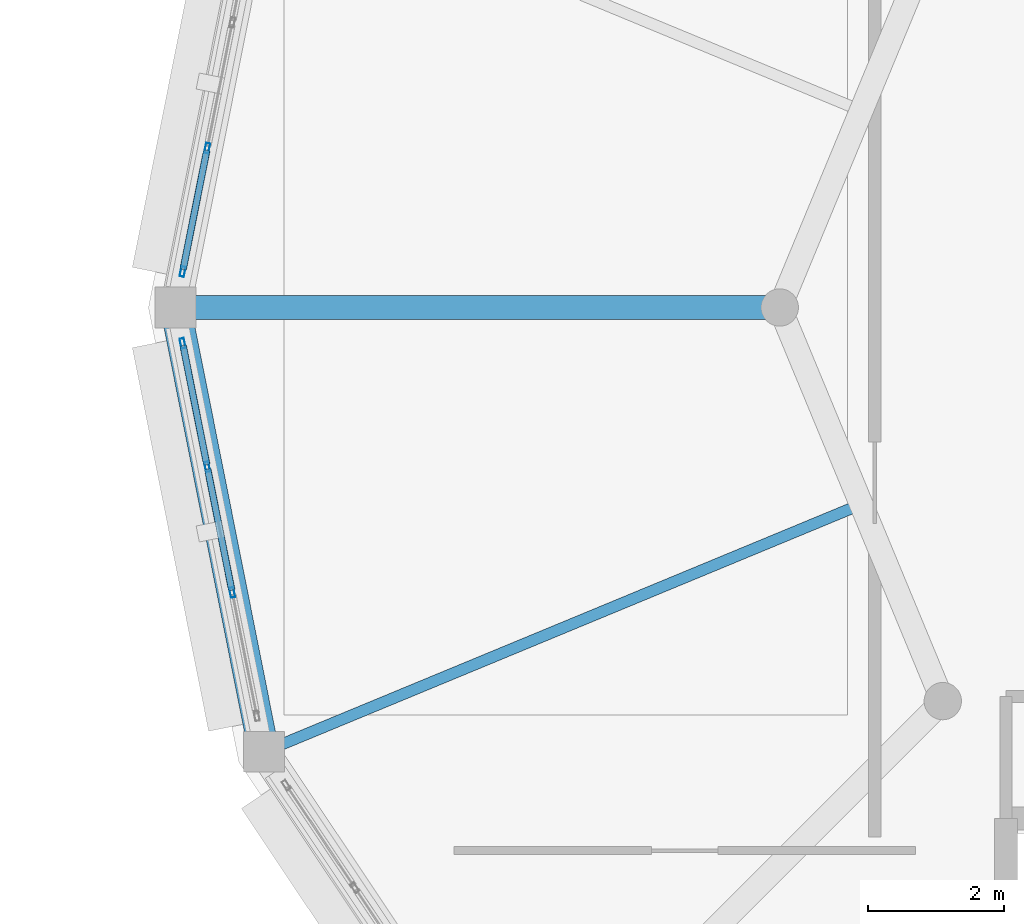
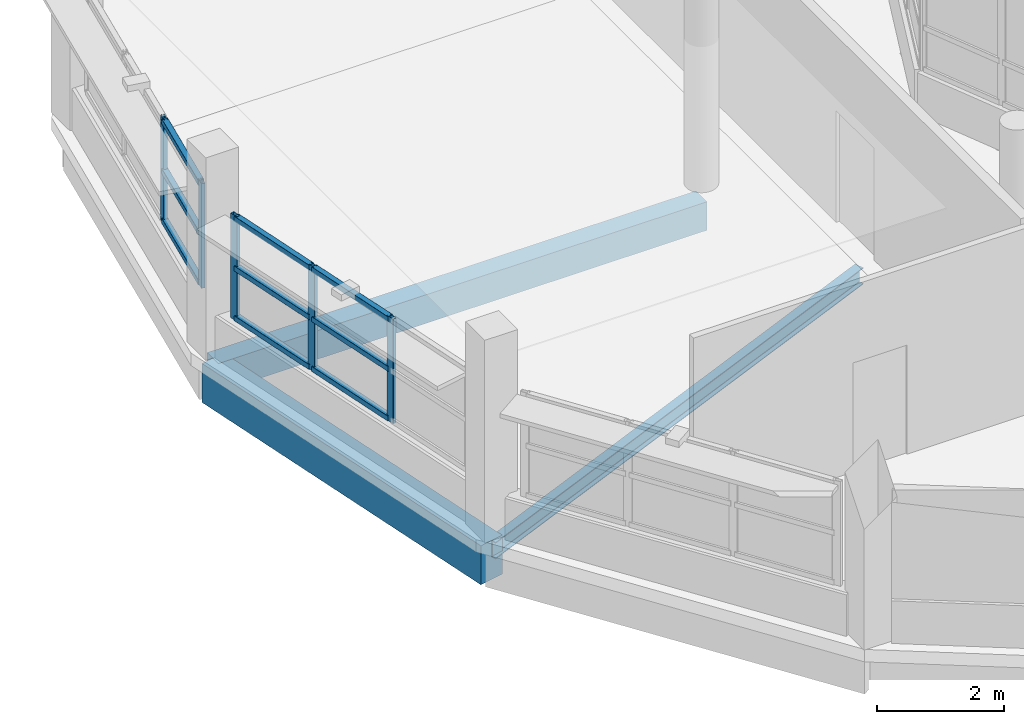
# One storey, part 31 of 121: 14 members, 3 beams, 2 elements without a shape of their own.
"""IFC4 building model written with IfcOpenShell, lengths in metres."""

from ifc_helpers import new_model, si_unit, direction, frame, origin, origin_2d, place, context, subcontext, project, spatial, rectangle, hollow_rectangle, i_section, extrude, material, layer, layer_set, material_profile, profile_set, type_object, element, aggregate, save


model = new_model("IFC4")

# Units and contexts
model_context = context("Model", 3, precision=1e-05, world=origin(), true_north=direction((0.0, 1.0)))
body_context = subcontext(model_context, "Body", "Model", "MODEL_VIEW")
ifc_project = project(units=[si_unit("LENGTHUNIT", "METRE"), si_unit("AREAUNIT", "SQUARE_METRE"), si_unit("VOLUMEUNIT", "CUBIC_METRE"), si_unit("PLANEANGLEUNIT", "RADIAN"), si_unit("MASSUNIT", "GRAM", prefix="KILO")], contexts=[model_context])

# Site, building, storey
site_placement = place(None, origin())
site = spatial("IfcSite", under=ifc_project, at=site_placement, CompositionType="ELEMENT")
building_placement = place(site_placement, origin())
building = spatial("IfcBuilding", under=site, at=building_placement, Name="Vespera Passage Community Centre", CompositionType="ELEMENT")
storey_placement = place(building_placement, frame((0.0, 0.0, 8.699951171875)))
storey = spatial("IfcBuildingStorey", under=building, at=storey_placement, Name="L02", CompositionType="ELEMENT", Elevation=8.699951171875)

# Beams
ifc_material_1 = material(Name="Concrete f'c 35 MPa", Category="concrete")
ifc_material_profile_1 = material_profile(ifc_material_1, rectangle(XDim=0.35009765625, YDim=0.550048828125, at=origin_2d()), Name="RC350X550")
ifc_profile_set_1 = profile_set([ifc_material_profile_1], Name="Concrete f'c 35 MPa")
beam_type_1 = type_object("IfcBeamType", Name="BM-J-350X550", PredefinedType="JOIST", material=ifc_profile_set_1)
beam_1_placement = place(storey_placement, frame((132.800048828125, 25.0, -0.514892578125), z_axis=(-1.0, 0.0, 0.0), x_axis=(0.0, -1.0, 0.0)))
element("IfcBeam", 1, at=beam_1_placement, inside=storey, type_object=beam_type_1, Name="V3 L02 Radial Girder 5", PredefinedType="JOIST", context=body_context, shape_type="SweptSolid", body=[
    extrude(rectangle(XDim=0.35009765625, YDim=0.550048828125, at=origin_2d()), origin(), (0.0, 0.0, 1.0), 8.900146484375),
])
ifc_material_2 = material(Name="Steel ASTM A992 Grade 50", Category="steel")
ifc_material_profile_2 = material_profile(ifc_material_2, i_section(OverallWidth=0.16650390625, OverallDepth=0.3173828125, WebThickness=0.007568359375, FlangeThickness=0.01318359375, FilletRadius=0.007568359375, at=origin_2d()), Name="W12X35")
ifc_profile_set_2 = profile_set([ifc_material_profile_2], Name="Steel ASTM A992 Grade 50")
beam_type_2 = type_object("IfcBeamType", Name="BM-J-W12X35", PredefinedType="JOIST", material=ifc_profile_set_2)
beam_2_placement = place(storey_placement, frame((134.0009765625, 22.100830078125, -0.398681640625), z_axis=(-0.923880304795, -0.382681567901, 0.0), x_axis=(0.382681567901, -0.923880304795, 0.0)))
element("IfcBeam", 2, at=beam_2_placement, inside=storey, type_object=beam_type_2, Name="V3 L02 Secondary Joist 5", PredefinedType="JOIST", context=body_context, shape_type="SweptSolid", body=[
    extrude(i_section(OverallWidth=0.16650390625, OverallDepth=0.3173828125, WebThickness=0.007568359375, FlangeThickness=0.01318359375, FilletRadius=0.007568359375, at=origin_2d()), origin(), (0.0, 0.0, 1.0), 9.5244140625),
])
ifc_material_3 = material(Name="Concrete f'c 35 MPa", Category="concrete")
ifc_material_profile_3 = material_profile(ifc_material_3, rectangle(XDim=0.449951171875, YDim=0.75, at=origin_2d()), Name="RC450X750")
ifc_profile_set_3 = profile_set([ifc_material_profile_3], Name="Concrete f'c 35 MPa")
beam_type_3 = type_object("IfcBeamType", Name="BM-SP-450X750E", PredefinedType="SPANDREL", material=ifc_profile_set_3)
beam_3_placement = place(storey_placement, frame((123.89990234375, 25.0, -0.614990234375), z_axis=(0.195102743632, -0.980782809509, 0.0), x_axis=(0.980782809509, 0.195102743632, 0.0)))
element("IfcBeam", 3, at=beam_3_placement, inside=storey, type_object=beam_type_3, Name="V3 L02 Spandrel 9", PredefinedType="SPANDREL", context=body_context, shape_type="SweptSolid", body=[
    extrude(rectangle(XDim=0.449951171875, YDim=0.75, at=origin_2d()), origin(), (0.0, 0.0, 1.0), 6.672119140625),
])

# Curtain wall, members
ifc_material_4 = material(Name="Anodized aluminium 6063-T6", Category="aluminium")
ifc_layer = layer(ifc_material_4, 0.159912109375)
ifc_layer_set = layer_set([ifc_layer], Name="Anodized aluminium 6063-T6")
curtain_wall_type = type_object("IfcCurtainWallType", Name="CW-108E", PredefinedType="NOTDEFINED", material=ifc_layer_set)
curtain_wall_1_placement = place(storey_placement, origin())
curtain_wall_1 = element("IfcCurtainWall", 4, at=curtain_wall_1_placement, inside=storey, type_object=curtain_wall_type, Name="Dining Drum Ribbon Curtain Wall L02.8", PredefinedType="NOTDEFINED")
ifc_material_5 = material(Name="Anodized aluminium 6063-T6", Category="aluminium")
ifc_material_profile_4 = material_profile(ifc_material_5, hollow_rectangle(XDim=0.06494140625, YDim=0.14990234375, WallThickness=0.00390625, InnerFilletRadius=0.001953125, OuterFilletRadius=0.00390625, at=origin_2d()), Name="ALU150X65X4")
ifc_profile_set_4 = profile_set([ifc_material_profile_4], Name="Anodized aluminium 6063-T6")
member_type_1 = type_object("IfcMemberType", Name="MB-CWM-150E", PredefinedType="MULLION", material=ifc_profile_set_4)
member_1_placement = place(storey_placement, frame((124.005126953125, 25.528076171875, 0.800048828125), z_axis=(0.0, 0.0, 1.0), x_axis=(-0.980783996069, 0.195096778691, 0.0)))
member_1 = element("IfcMember", 5, at=member_1_placement, type_object=member_type_1, Name="CW-108E mullion 1", PredefinedType="MULLION", context=body_context, shape_type="SweptSolid", body=[
    extrude(hollow_rectangle(XDim=0.06494140625, YDim=0.14990234375, WallThickness=0.00390625, InnerFilletRadius=0.001953125, OuterFilletRadius=0.00390625, at=origin_2d()), origin(), (0.0, 0.0, 1.0), 2.014892578125),
])
member_2_placement = place(storey_placement, frame((124.36669921875, 27.3466796875, 0.800048828125), z_axis=(0.0, 0.0, 1.0), x_axis=(-0.980783996069, 0.195096778691, 0.0)))
member_2 = element("IfcMember", 6, at=member_2_placement, type_object=member_type_1, Name="CW-108E mullion 2", PredefinedType="MULLION", context=body_context, shape_type="SweptSolid", body=[
    extrude(hollow_rectangle(XDim=0.06494140625, YDim=0.14990234375, WallThickness=0.00390625, InnerFilletRadius=0.001953125, OuterFilletRadius=0.00390625, at=origin_2d()), origin(), (0.0, 0.0, 1.0), 2.014892578125),
])

curtain_wall_2_placement = place(storey_placement, origin())
curtain_wall_2 = element("IfcCurtainWall", 7, at=curtain_wall_2_placement, inside=storey, type_object=curtain_wall_type, Name="Dining Drum Ribbon Curtain Wall L02.9", PredefinedType="NOTDEFINED")
member_3_placement = place(storey_placement, frame((124.73486328125, 20.802734375, 0.800048828125), z_axis=(0.0, 0.0, 1.0), x_axis=(-0.980783996069, -0.195096778691, 0.0)))
member_3 = element("IfcMember", 8, at=member_3_placement, type_object=member_type_1, Name="CW-108E mullion 2", PredefinedType="MULLION", context=body_context, shape_type="SweptSolid", body=[
    extrude(hollow_rectangle(XDim=0.06494140625, YDim=0.14990234375, WallThickness=0.00390625, InnerFilletRadius=0.001953125, OuterFilletRadius=0.00390625, at=origin_2d()), origin(), (0.0, 0.0, 1.0), 2.014892578125),
])
member_4_placement = place(storey_placement, frame((124.36669921875, 22.6533203125, 0.800048828125), z_axis=(0.0, 0.0, 1.0), x_axis=(-0.980783996069, -0.195096778691, 0.0)))
member_4 = element("IfcMember", 9, at=member_4_placement, type_object=member_type_1, Name="CW-108E mullion 3", PredefinedType="MULLION", context=body_context, shape_type="SweptSolid", body=[
    extrude(hollow_rectangle(XDim=0.06494140625, YDim=0.14990234375, WallThickness=0.00390625, InnerFilletRadius=0.001953125, OuterFilletRadius=0.00390625, at=origin_2d()), origin(), (0.0, 0.0, 1.0), 2.014892578125),
])
member_5_placement = place(storey_placement, frame((124.005126953125, 24.471923828125, 0.800048828125), z_axis=(0.0, 0.0, 1.0), x_axis=(-0.980783996069, -0.195096778691, 0.0)))
member_5 = element("IfcMember", 10, at=member_5_placement, type_object=member_type_1, Name="CW-108E mullion 4", PredefinedType="MULLION", context=body_context, shape_type="SweptSolid", body=[
    extrude(hollow_rectangle(XDim=0.06494140625, YDim=0.14990234375, WallThickness=0.00390625, InnerFilletRadius=0.001953125, OuterFilletRadius=0.00390625, at=origin_2d()), origin(), (0.0, 0.0, 1.0), 2.014892578125),
])

# Member
ifc_material_6 = material(Name="Anodized aluminium 6063-T6", Category="aluminium")
ifc_material_profile_5 = material_profile(ifc_material_6, hollow_rectangle(XDim=0.10009765625, YDim=0.10009765625, WallThickness=0.00390625, InnerFilletRadius=0.001953125, OuterFilletRadius=0.00390625, at=origin_2d()), Name="ALU100X100X4")
ifc_profile_set_5 = profile_set([ifc_material_profile_5], Name="Anodized aluminium 6063-T6")
member_type_2 = type_object("IfcMemberType", Name="MB-CWT-100E", PredefinedType="USERDEFINED", material=ifc_profile_set_5)
member_6_placement = place(storey_placement, frame((124.011474609375, 25.56005859375, 0.85009765625), z_axis=(0.194987665203, 0.980805694528, 0.0), x_axis=(-0.980805694528, 0.194987665203, 0.0)))
member_6 = element("IfcMember", 11, at=member_6_placement, type_object=member_type_2, Name="CW-108E transom 1.1", ObjectType="TRANSOM", PredefinedType="USERDEFINED", context=body_context, shape_type="SweptSolid", body=[
    extrude(hollow_rectangle(XDim=0.10009765625, YDim=0.10009765625, WallThickness=0.00390625, InnerFilletRadius=0.001953125, OuterFilletRadius=0.00390625, at=origin_2d()), origin(), (0.0, 0.0, 1.0), 1.789306640625),
])

member_7_placement = place(storey_placement, frame((124.011474609375, 25.56005859375, 1.8076171875), z_axis=(0.194987665203, 0.980805694528, 0.0), x_axis=(-0.980805694528, 0.194987665203, 0.0)))
member_7 = element("IfcMember", 12, at=member_7_placement, type_object=member_type_2, Name="CW-108E transom 1.2", ObjectType="TRANSOM", PredefinedType="USERDEFINED", context=body_context, shape_type="SweptSolid", body=[
    extrude(hollow_rectangle(XDim=0.10009765625, YDim=0.10009765625, WallThickness=0.00390625, InnerFilletRadius=0.001953125, OuterFilletRadius=0.00390625, at=origin_2d()), origin(), (0.0, 0.0, 1.0), 1.789306640625),
])

member_8_placement = place(storey_placement, frame((124.011474609375, 25.56005859375, 2.76513671875), z_axis=(0.194987665203, 0.980805694528, 0.0), x_axis=(-0.980805694528, 0.194987665203, 0.0)))
member_8 = element("IfcMember", 13, at=member_8_placement, type_object=member_type_2, Name="CW-108E transom 1.3", ObjectType="TRANSOM", PredefinedType="USERDEFINED", context=body_context, shape_type="SweptSolid", body=[
    extrude(hollow_rectangle(XDim=0.10009765625, YDim=0.10009765625, WallThickness=0.00390625, InnerFilletRadius=0.001953125, OuterFilletRadius=0.00390625, at=origin_2d()), origin(), (0.0, 0.0, 1.0), 1.789306640625),
])

aggregate(curtain_wall_1, [member_1, member_2, member_6, member_7, member_8])

member_9_placement = place(storey_placement, frame((124.728515625, 20.834716796875, 0.85009765625), z_axis=(-0.195136642714, 0.980776065507, 0.0), x_axis=(-0.980776065507, -0.195136642714, 0.0)))
member_9 = element("IfcMember", 14, at=member_9_placement, type_object=member_type_2, Name="CW-108E transom 2.1", ObjectType="TRANSOM", PredefinedType="USERDEFINED", context=body_context, shape_type="SweptSolid", body=[
    extrude(hollow_rectangle(XDim=0.10009765625, YDim=0.10009765625, WallThickness=0.00390625, InnerFilletRadius=0.001953125, OuterFilletRadius=0.00390625, at=origin_2d()), origin(), (0.0, 0.0, 1.0), 1.821533203125),
])

member_10_placement = place(storey_placement, frame((124.728515625, 20.834716796875, 1.8076171875), z_axis=(-0.195136642714, 0.980776065507, 0.0), x_axis=(-0.980776065507, -0.195136642714, 0.0)))
member_10 = element("IfcMember", 15, at=member_10_placement, type_object=member_type_2, Name="CW-108E transom 2.2", ObjectType="TRANSOM", PredefinedType="USERDEFINED", context=body_context, shape_type="SweptSolid", body=[
    extrude(hollow_rectangle(XDim=0.10009765625, YDim=0.10009765625, WallThickness=0.00390625, InnerFilletRadius=0.001953125, OuterFilletRadius=0.00390625, at=origin_2d()), origin(), (0.0, 0.0, 1.0), 1.821533203125),
])

member_11_placement = place(storey_placement, frame((124.728515625, 20.834716796875, 2.76513671875), z_axis=(-0.195136642714, 0.980776065507, 0.0), x_axis=(-0.980776065507, -0.195136642714, 0.0)))
member_11 = element("IfcMember", 16, at=member_11_placement, type_object=member_type_2, Name="CW-108E transom 2.3", ObjectType="TRANSOM", PredefinedType="USERDEFINED", context=body_context, shape_type="SweptSolid", body=[
    extrude(hollow_rectangle(XDim=0.10009765625, YDim=0.10009765625, WallThickness=0.00390625, InnerFilletRadius=0.001953125, OuterFilletRadius=0.00390625, at=origin_2d()), origin(), (0.0, 0.0, 1.0), 1.821533203125),
])

member_12_placement = place(storey_placement, frame((124.3603515625, 22.68505859375, 0.85009765625), z_axis=(-0.194987665203, 0.980805694528, 0.0), x_axis=(-0.980805694528, -0.194987665203, 0.0)))
member_12 = element("IfcMember", 17, at=member_12_placement, type_object=member_type_2, Name="CW-108E transom 3.1", ObjectType="TRANSOM", PredefinedType="USERDEFINED", context=body_context, shape_type="SweptSolid", body=[
    extrude(hollow_rectangle(XDim=0.10009765625, YDim=0.10009765625, WallThickness=0.00390625, InnerFilletRadius=0.001953125, OuterFilletRadius=0.00390625, at=origin_2d()), origin(), (0.0, 0.0, 1.0), 1.789306640625),
])

member_13_placement = place(storey_placement, frame((124.3603515625, 22.68505859375, 1.8076171875), z_axis=(-0.194987665203, 0.980805694528, 0.0), x_axis=(-0.980805694528, -0.194987665203, 0.0)))
member_13 = element("IfcMember", 18, at=member_13_placement, type_object=member_type_2, Name="CW-108E transom 3.2", ObjectType="TRANSOM", PredefinedType="USERDEFINED", context=body_context, shape_type="SweptSolid", body=[
    extrude(hollow_rectangle(XDim=0.10009765625, YDim=0.10009765625, WallThickness=0.00390625, InnerFilletRadius=0.001953125, OuterFilletRadius=0.00390625, at=origin_2d()), origin(), (0.0, 0.0, 1.0), 1.789306640625),
])

member_14_placement = place(storey_placement, frame((124.3603515625, 22.68505859375, 2.76513671875), z_axis=(-0.194987665203, 0.980805694528, 0.0), x_axis=(-0.980805694528, -0.194987665203, 0.0)))
member_14 = element("IfcMember", 19, at=member_14_placement, type_object=member_type_2, Name="CW-108E transom 3.3", ObjectType="TRANSOM", PredefinedType="USERDEFINED", context=body_context, shape_type="SweptSolid", body=[
    extrude(hollow_rectangle(XDim=0.10009765625, YDim=0.10009765625, WallThickness=0.00390625, InnerFilletRadius=0.001953125, OuterFilletRadius=0.00390625, at=origin_2d()), origin(), (0.0, 0.0, 1.0), 1.789306640625),
])

aggregate(curtain_wall_2, [member_3, member_4, member_5, member_9, member_10, member_11, member_12, member_13, member_14])

save(model, "model.ifc")
